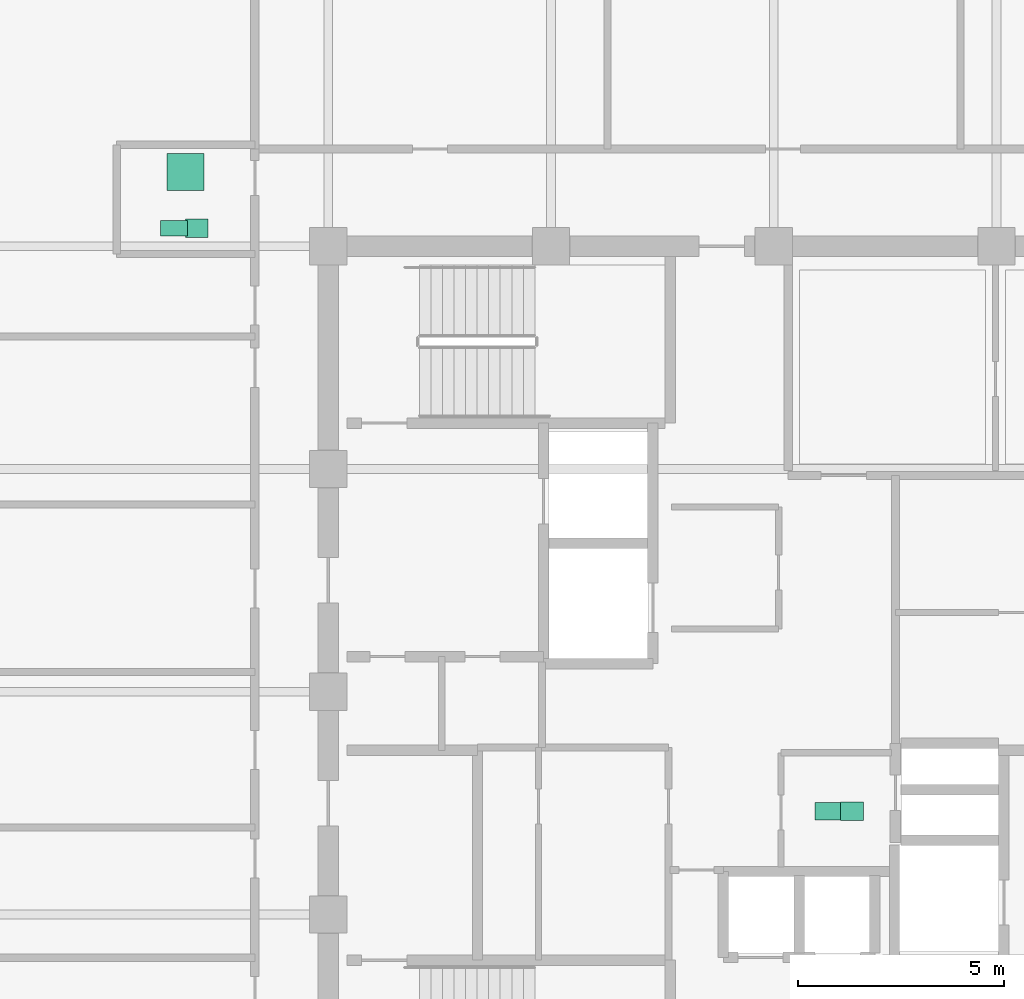
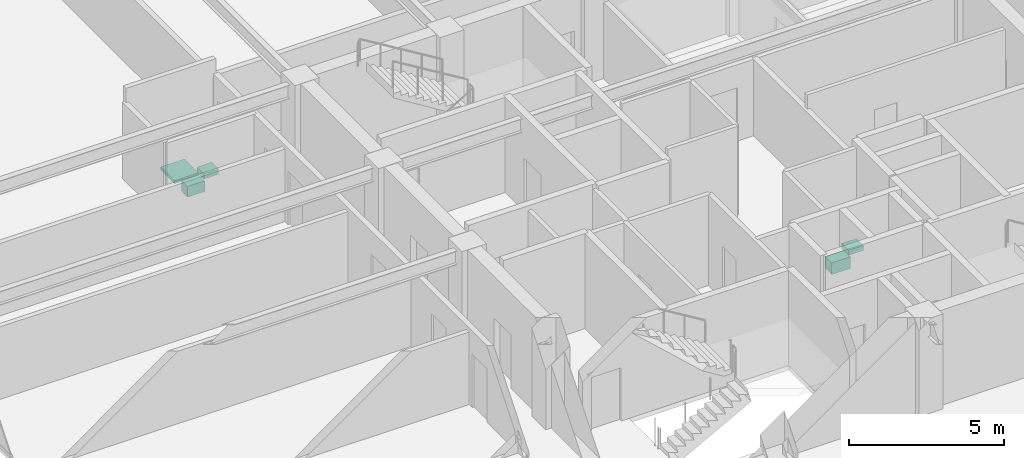
# One storey, part 31 of 31: 5 sanitary terminals.
"""IFC4 building model written with IfcOpenShell, lengths in metres."""

from ifc_helpers import new_model, si_unit, direction, frame, origin, origin_2d, place, context, subcontext, project, spatial, rectangle, extrude, material, type_object, element, save


model = new_model("IFC4")

# Units and contexts
model_context = context("Model", 3, precision=1e-05, world=origin(), true_north=direction((0.0, 1.0)))
body_context = subcontext(model_context, "Body", "Model", "MODEL_VIEW")
ifc_project = project(units=[si_unit("LENGTHUNIT", "METRE"), si_unit("AREAUNIT", "SQUARE_METRE"), si_unit("VOLUMEUNIT", "CUBIC_METRE"), si_unit("PLANEANGLEUNIT", "RADIAN"), si_unit("MASSUNIT", "GRAM", prefix="KILO")], contexts=[model_context])

# Site, building, storey
site_placement = place(None, origin())
site = spatial("IfcSite", under=ifc_project, at=site_placement, CompositionType="ELEMENT")
building_placement = place(site_placement, origin())
building = spatial("IfcBuilding", under=site, at=building_placement, Name="Surkhivell Harbour Commons", CompositionType="ELEMENT")
storey_placement = place(building_placement, frame((0.0, 0.0, 262.5)))
storey = spatial("IfcBuildingStorey", under=building, at=storey_placement, Name="L68", CompositionType="ELEMENT", Elevation=262.5)

# Sanitary terminals
ifc_material_1 = material(Name="Vitreous china washbasin", Category="other")
sanitary_terminal_type_1 = type_object("IfcSanitaryTerminalType", Name="SAN-BSN", PredefinedType="WASHHANDBASIN", material=ifc_material_1)
for number, where, z_axis, x_axis, name in (
    (1, (1.89990234375, -2.89990234375, 0.72021484375), (0.0, 0.0, 1.0), (1.0, 0.0, 0.0), "L68 Core Accessible WC Washbasin"),
    (2, (-13.989990234375, 11.239990234375, 0.72021484375), (0.0, 0.0, 1.0), (1.0, 0.0, 0.0), "L68 West Communal Bathroom WC Washbasin"),
):
    element("IfcSanitaryTerminal", number, at=place(storey_placement, frame(where, z_axis=z_axis, x_axis=x_axis)), inside=storey, type_object=sanitary_terminal_type_1, Name=name, PredefinedType="WASHHANDBASIN", context=body_context, shape_type="SweptSolid", body=[
        extrude(rectangle(XDim=0.550048828125, YDim=0.449951171875, at=origin_2d()), origin(), (0.0, 0.0, 1.0), 0.199951171875),
    ])
ifc_material_2 = material(Name="Glazed porcelain shower tray", Category="other")
sanitary_terminal_type_2 = type_object("IfcSanitaryTerminalType", Name="SAN-SHW", PredefinedType="SHOWER", material=ifc_material_2)
sanitary_terminal_1_placement = place(storey_placement, frame((-14.260009765625, 12.60009765625, 0.0), z_axis=(0.0, 0.0, 1.0), x_axis=(1.0, 0.0, 0.0)))
element("IfcSanitaryTerminal", 3, at=sanitary_terminal_1_placement, inside=storey, type_object=sanitary_terminal_type_2, Name="L68 West Communal Shower Tray", PredefinedType="SHOWER", context=body_context, shape_type="SweptSolid", body=[
    extrude(rectangle(XDim=0.89990234375, YDim=0.89990234375, at=origin_2d()), origin(), (0.0, 0.0, 1.0), 0.1201171875),
])
ifc_material_3 = material(Name="Vitreous china sanitaryware", Category="other")
sanitary_terminal_type_3 = type_object("IfcSanitaryTerminalType", Name="SAN-WC-ACC", PredefinedType="TOILETPAN", material=ifc_material_3)
sanitary_terminal_2_placement = place(storey_placement, frame((1.35009765625, -2.89990234375, 0.169921875), z_axis=(0.0, 0.0, 1.0), x_axis=(1.0, 0.0, 0.0)))
element("IfcSanitaryTerminal", 4, at=sanitary_terminal_2_placement, inside=storey, type_object=sanitary_terminal_type_3, Name="L68 Core Accessible WC", PredefinedType="TOILETPAN", context=body_context, shape_type="SweptSolid", body=[
    extrude(rectangle(XDim=0.699951171875, YDim=0.419921875, at=origin_2d()), origin(), (0.0, 0.0, 1.0), 0.4599609375),
])
sanitary_terminal_type_4 = type_object("IfcSanitaryTerminalType", Name="SAN-WC-STD", PredefinedType="TOILETPAN", material=ifc_material_3)
sanitary_terminal_3_placement = place(storey_placement, frame((-14.5400390625, 11.239990234375, 0.18994140625), z_axis=(0.0, 0.0, 1.0), x_axis=(1.0, 0.0, 0.0)))
element("IfcSanitaryTerminal", 5, at=sanitary_terminal_3_placement, inside=storey, type_object=sanitary_terminal_type_4, Name="L68 West Communal Bathroom WC", PredefinedType="TOILETPAN", context=body_context, shape_type="SweptSolid", body=[
    extrude(rectangle(XDim=0.64990234375, YDim=0.3798828125, at=origin_2d()), origin(), (0.0, 0.0, 1.0), 0.419921875),
])

save(model, "model.ifc")
